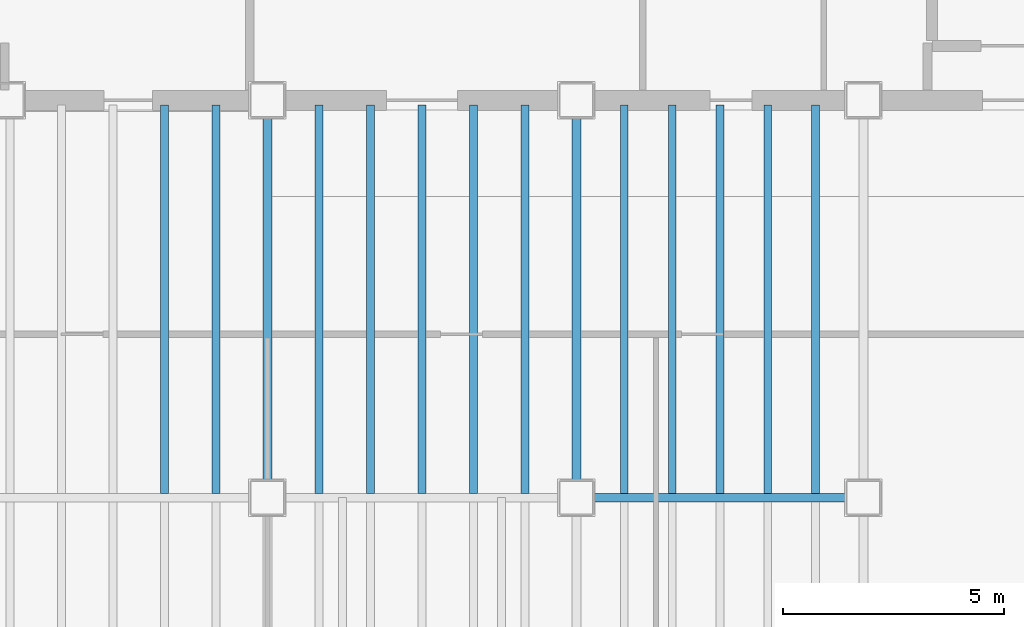
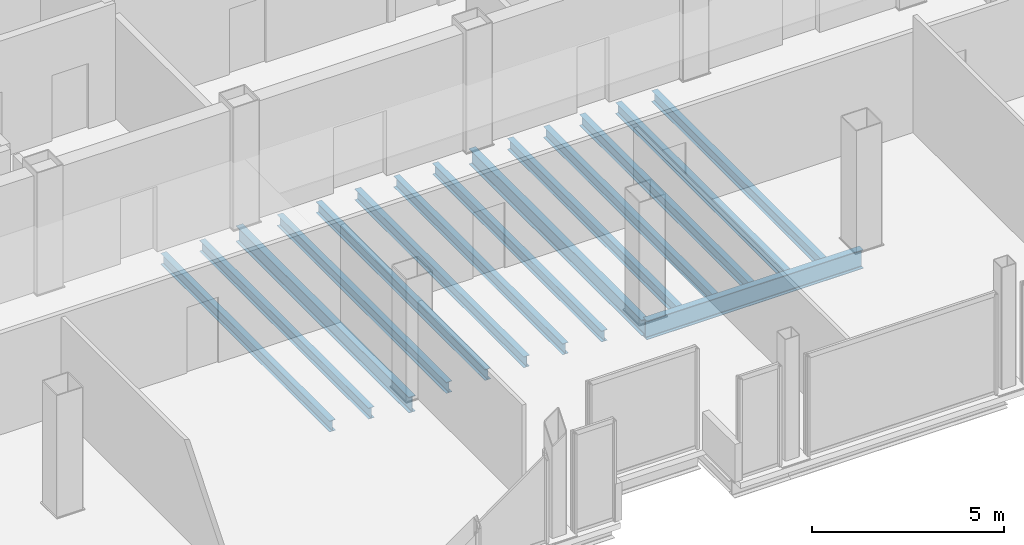
# One storey, part 7 of 16: 15 beams.
"""IFC4 building model written with IfcOpenShell, lengths in metres."""

from ifc_helpers import new_model, si_unit, direction, frame, origin, origin_2d, place, context, subcontext, project, spatial, i_section, extrude, material, material_profile, profile_set, type_object, element, save


model = new_model("IFC4")

# Units and contexts
model_context = context("Model", 3, precision=1e-05, world=origin(), true_north=direction((0.0, 1.0)))
body_context = subcontext(model_context, "Body", "Model", "MODEL_VIEW")
ifc_project = project(units=[si_unit("LENGTHUNIT", "METRE"), si_unit("AREAUNIT", "SQUARE_METRE"), si_unit("VOLUMEUNIT", "CUBIC_METRE"), si_unit("PLANEANGLEUNIT", "RADIAN"), si_unit("MASSUNIT", "GRAM", prefix="KILO")], contexts=[model_context])

# Site, building, storey
site_placement = place(None, origin())
site = spatial("IfcSite", under=ifc_project, at=site_placement, CompositionType="ELEMENT")
building_placement = place(site_placement, origin())
building = spatial("IfcBuilding", under=site, at=building_placement, Name="Noeulbin Bourse Tower", CompositionType="ELEMENT")
storey_placement = place(building_placement, frame((0.0, 0.0, 234.5)))
storey = spatial("IfcBuildingStorey", under=building, at=storey_placement, Name="L58", CompositionType="ELEMENT", Elevation=234.5)

# Beams
ifc_material = material(Name="Steel S355", Category="steel")
ifc_material_profile_1 = material_profile(ifc_material, i_section(OverallWidth=0.199951171875, OverallDepth=0.5, WebThickness=0.010009765625, FlangeThickness=0.01611328125, FilletRadius=0.02001953125, at=origin_2d()), Name="H-500x200x10x16", Category="LoadBearing")
ifc_profile_set_1 = profile_set([ifc_material_profile_1], Name="Steel S355")
beam_type_1 = type_object("IfcBeamType", Name="BM-GRD-500", PredefinedType="USERDEFINED", material=ifc_profile_set_1)
for number, where, z_axis, x_axis, name in (
    (1, (24.0, 20.0, -0.429931640625), (0.0, 1.0, 0.0), (-1.0, 0.0, 0.0), "Tower Primary Girder NS L58-2.2"),
    (2, (31.0, 20.0, -0.429931640625), (0.0, 1.0, 0.0), (-1.0, 0.0, 0.0), "Tower Primary Girder NS L58-3.2"),
):
    element("IfcBeam", number, at=place(storey_placement, frame(where, z_axis=z_axis, x_axis=x_axis)), inside=storey, type_object=beam_type_1, Name=name, ObjectType="GIRDER", PredefinedType="USERDEFINED", context=body_context, shape_type="SweptSolid", body=[
        extrude(i_section(OverallWidth=0.199951171875, OverallDepth=0.5, WebThickness=0.010009765625, FlangeThickness=0.01611328125, FilletRadius=0.02001953125, at=origin_2d()), origin(), (0.0, 0.0, 1.0), 9.0),
    ])
ifc_material_profile_2 = material_profile(ifc_material, i_section(OverallWidth=0.199951171875, OverallDepth=0.60009765625, WebThickness=0.010986328125, FlangeThickness=0.01708984375, FilletRadius=0.02197265625, at=origin_2d()), Name="H-600x200x11x17", Category="LoadBearing")
ifc_profile_set_2 = profile_set([ifc_material_profile_2], Name="Steel S355")
beam_type_2 = type_object("IfcBeamType", Name="BM-GRD-600", PredefinedType="USERDEFINED", material=ifc_profile_set_2)
beam_placement = place(storey_placement, frame((31.0, 20.0, -0.47998046875), z_axis=(1.0, 0.0, 0.0), x_axis=(0.0, 1.0, 0.0)))
element("IfcBeam", 3, at=beam_placement, inside=storey, type_object=beam_type_2, Name="Tower Primary Girder EW L58-1.4", ObjectType="GIRDER", PredefinedType="USERDEFINED", context=body_context, shape_type="SweptSolid", body=[
    extrude(i_section(OverallWidth=0.199951171875, OverallDepth=0.60009765625, WebThickness=0.010986328125, FlangeThickness=0.01708984375, FilletRadius=0.02197265625, at=origin_2d()), origin(), (0.0, 0.0, 1.0), 6.5),
])
ifc_material_profile_3 = material_profile(ifc_material, i_section(OverallWidth=0.175048828125, OverallDepth=0.35009765625, WebThickness=0.007080078125, FlangeThickness=0.010986328125, FilletRadius=0.013916015625, at=origin_2d()), Name="H-350x175x7x11", Category="LoadBearing")
ifc_profile_set_3 = profile_set([ifc_material_profile_3], Name="Steel S355")
beam_type_3 = type_object("IfcBeamType", Name="BM-JST-350", PredefinedType="JOIST", material=ifc_profile_set_3)
for number, where, z_axis, x_axis, name in (
    (4, (21.666748046875, 20.10009765625, -0.35498046875), (0.0, 1.0, 0.0), (-1.0, 0.0, 0.0), "Tower Composite Joist L58-14"),
    (5, (22.833251953125, 20.10009765625, -0.35498046875), (0.0, 1.0, 0.0), (-1.0, 0.0, 0.0), "Tower Composite Joist L58-16"),
    (6, (25.166748046875, 20.10009765625, -0.35498046875), (0.0, 1.0, 0.0), (-1.0, 0.0, 0.0), "Tower Composite Joist L58-18"),
    (7, (26.333251953125, 20.10009765625, -0.35498046875), (0.0, 1.0, 0.0), (-1.0, 0.0, 0.0), "Tower Composite Joist L58-20"),
    (8, (27.5, 20.10009765625, -0.35498046875), (0.0, 1.0, 0.0), (-1.0, 0.0, 0.0), "Tower Composite Joist L58-22"),
    (9, (28.666748046875, 20.10009765625, -0.35498046875), (0.0, 1.0, 0.0), (-1.0, 0.0, 0.0), "Tower Composite Joist L58-24"),
    (10, (29.833251953125, 20.10009765625, -0.35498046875), (0.0, 1.0, 0.0), (-1.0, 0.0, 0.0), "Tower Composite Joist L58-26"),
    (11, (32.083251953125, 20.10009765625, -0.35498046875), (0.0, 1.0, 0.0), (-1.0, 0.0, 0.0), "Tower Composite Joist L58-28"),
    (12, (33.166748046875, 20.10009765625, -0.35498046875), (0.0, 1.0, 0.0), (-1.0, 0.0, 0.0), "Tower Composite Joist L58-30"),
    (13, (34.25, 20.10009765625, -0.35498046875), (0.0, 1.0, 0.0), (-1.0, 0.0, 0.0), "Tower Composite Joist L58-32"),
    (14, (35.333251953125, 20.10009765625, -0.35498046875), (0.0, 1.0, 0.0), (-1.0, 0.0, 0.0), "Tower Composite Joist L58-34"),
    (15, (36.416748046875, 20.10009765625, -0.35498046875), (0.0, 1.0, 0.0), (-1.0, 0.0, 0.0), "Tower Composite Joist L58-36"),
):
    element("IfcBeam", number, at=place(storey_placement, frame(where, z_axis=z_axis, x_axis=x_axis)), inside=storey, type_object=beam_type_3, Name=name, PredefinedType="JOIST", context=body_context, shape_type="SweptSolid", body=[
        extrude(i_section(OverallWidth=0.175048828125, OverallDepth=0.35009765625, WebThickness=0.007080078125, FlangeThickness=0.010986328125, FilletRadius=0.013916015625, at=origin_2d()), origin(), (0.0, 0.0, 1.0), 8.7998046875),
    ])

save(model, "model.ifc")
